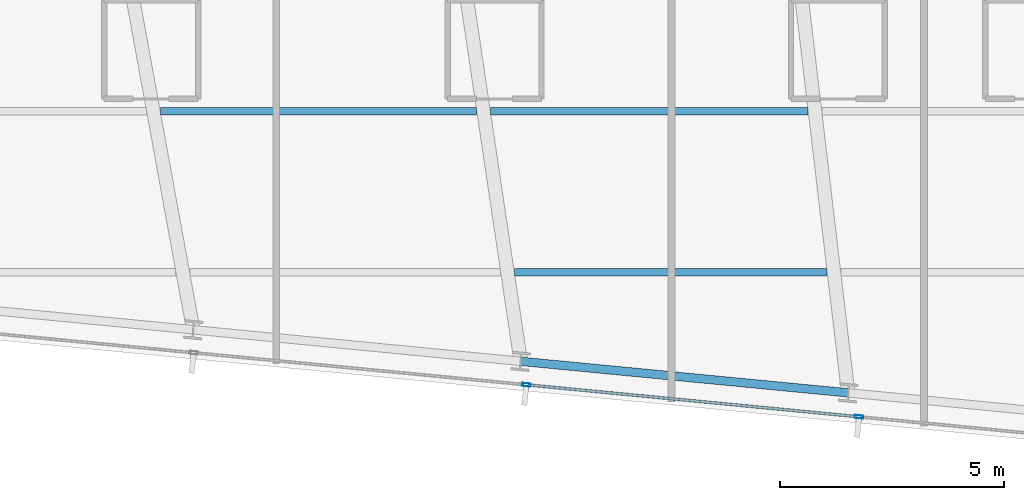
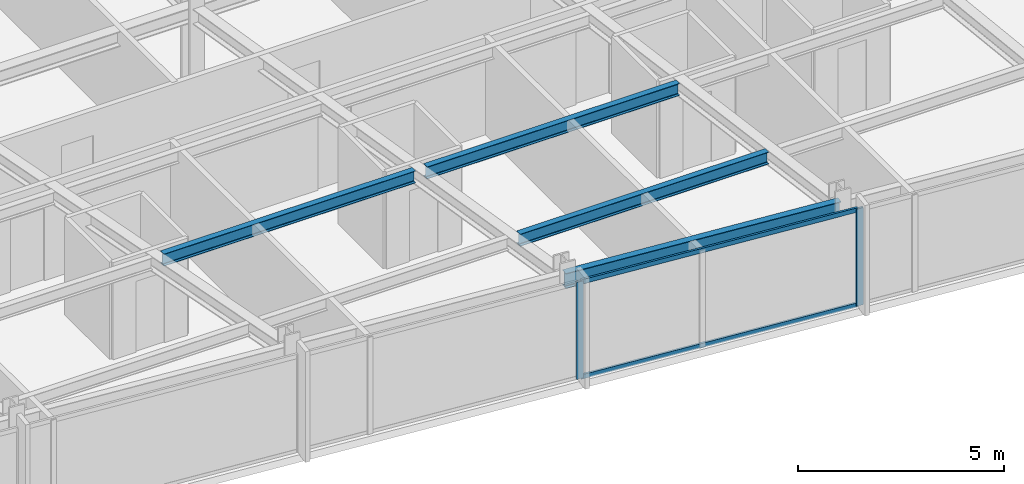
# One storey, part 12 of 37: 4 beams, 4 members, 1 element without a shape of its own.
"""IFC4 building model written with IfcOpenShell, lengths in metres."""

import ifcopenshell
import ifcopenshell.guid

model = None  # the IFC model being written
_history = None  # IfcOwnerHistory: only IFC2X3 demands one
_inside = {}  # id of a spatial element -> (the spatial element, [elements in it])
_under = {}  # id of a project, library or spatial element -> (it, [spatial elements below it])
_declared = {}  # id of a project -> (the project, [libraries it declares])
_typed = {}  # id of a type object -> (the type object, [elements of that type])
_made_of = {}  # id of a material, layer set ... -> (it, [elements and type objects made of it])


def new_model(schema):
    """Start an empty IFC model of exactly this schema.

    Asked for "IFC4X3", IfcOpenShell would pick the latest addendum, in which some entities
    have other attributes; the version numbers below select the first issue.
    IFC2X3 requires an IfcOwnerHistory on every rooted entity: one is made here for all.
    """
    global model, _history
    if schema == "IFC4X3":
        model = ifcopenshell.file(schema_version=(4, 3, 0, 0))
    else:
        model = ifcopenshell.file(schema=schema)
    _inside.clear()
    _under.clear()
    _declared.clear()
    _typed.clear()
    _made_of.clear()
    _history = None
    if model.schema == "IFC2X3":
        org = make("IfcOrganization", Name="unknown")
        user = make(
            "IfcPersonAndOrganization",
            ThePerson=make("IfcPerson", FamilyName="unknown"),
            TheOrganization=org,
        )
        app = make(
            "IfcApplication",
            ApplicationDeveloper=org,
            Version="unknown",
            ApplicationFullName="unknown",
            ApplicationIdentifier="unknown",
        )
        _history = make(
            "IfcOwnerHistory",
            OwningUser=user,
            OwningApplication=app,
            ChangeAction="ADDED",
            CreationDate=0,
        )
    return model


def make(cls, **values):
    """One entity of the class cls with the attributes given. An attribute that is None is left unset."""
    return model.create_entity(
        cls, **{name: value for name, value in values.items() if value is not None}
    )


def rooted(cls, **values):
    """An entity with a GlobalId (a new one), such as an element, a storey or a relation."""
    return make(cls, GlobalId=ifcopenshell.guid.new(), OwnerHistory=_history, **values)


def si_unit(unit_type, name, prefix=None):
    """IfcSIUnit, for example si_unit("LENGTHUNIT", "METRE", prefix="MILLI")."""
    return make("IfcSIUnit", UnitType=unit_type, Prefix=prefix, Name=name)


def assignment(units):
    """IfcUnitAssignment: the units of a project."""
    return None if units is None else make("IfcUnitAssignment", Units=units)


def point(xyz):
    """IfcCartesianPoint."""
    return None if xyz is None else make("IfcCartesianPoint", Coordinates=xyz)


def direction(xyz):
    """IfcDirection."""
    return None if xyz is None else make("IfcDirection", DirectionRatios=xyz)


def frame(location, z_axis=None, x_axis=None):
    """IfcAxis2Placement3D, a coordinate frame: its origin and axes. An axis left out is left unset."""
    return make(
        "IfcAxis2Placement3D",
        Location=point(location),
        Axis=direction(z_axis),
        RefDirection=direction(x_axis),
    )


def frame_2d(location, x_axis=None):
    """IfcAxis2Placement2D, a coordinate frame in the plane: its origin and x axis."""
    return make(
        "IfcAxis2Placement2D", Location=point(location), RefDirection=direction(x_axis)
    )


def origin():
    """The frame at (0, 0, 0) with its axes left unset."""
    return frame((0.0, 0.0, 0.0))


def origin_2d():
    """The frame at (0, 0) in the plane with its x axis left unset."""
    return frame_2d((0.0, 0.0))


def place(relative_to, where):
    """IfcLocalPlacement: puts the frame where relative to a parent placement (None: the world)."""
    return make(
        "IfcLocalPlacement", PlacementRelTo=relative_to, RelativePlacement=where
    )


def context(
    kind, dimensions, precision=None, world=None, true_north=None, identifier=None
):
    """IfcGeometricRepresentationContext, for example the 3D "Model" context."""
    return make(
        "IfcGeometricRepresentationContext",
        ContextIdentifier=identifier,
        ContextType=kind,
        CoordinateSpaceDimension=dimensions,
        Precision=precision,
        WorldCoordinateSystem=world,
        TrueNorth=true_north,
    )


def subcontext(parent, identifier, kind, view, scale=None):
    """IfcGeometricRepresentationSubContext, for example "Body" below "Model"."""
    return make(
        "IfcGeometricRepresentationSubContext",
        ContextIdentifier=identifier,
        ContextType=kind,
        ParentContext=parent,
        TargetScale=scale,
        TargetView=view,
    )


def project(units=None, contexts=None):
    """IfcProject with its units and contexts."""
    return rooted(
        "IfcProject",
        Name="project",
        RepresentationContexts=contexts,
        UnitsInContext=assignment(units),
    )


def spatial(cls, under=None, at=None, **own):
    """A site, building, storey or space (cls), placed at a placement, below another one or the project."""
    s = rooted(cls, ObjectPlacement=at, **own)
    if under is not None:
        _under.setdefault(under.id(), (under, []))[1].append(s)
    return s


def profile(cls, at=None, kind="AREA", **sizes):
    """A parametric profile (cls). Its sizes go by their IFC names, for example OverallWidth=200.0."""
    return make(cls, ProfileType=kind, Position=at, **sizes)


def hollow_rectangle(**sizes):
    """IfcRectangleHollowProfileDef."""
    return profile("IfcRectangleHollowProfileDef", **sizes)


def i_section(**sizes):
    """IfcIShapeProfileDef."""
    return profile("IfcIShapeProfileDef", **sizes)


def extrude(swept, where, along, depth):
    """IfcExtrudedAreaSolid: the profile swept, set in the frame where, extruded along a direction by depth."""
    return make(
        "IfcExtrudedAreaSolid",
        SweptArea=swept,
        Position=where,
        ExtrudedDirection=direction(along),
        Depth=depth,
    )


def shape(context_of_items, identifier, shape_type, items):
    """IfcShapeRepresentation: the items that make up one representation, for example the "Body"."""
    return make(
        "IfcShapeRepresentation",
        ContextOfItems=context_of_items,
        RepresentationIdentifier=identifier,
        RepresentationType=shape_type,
        Items=items,
    )


def material(Name=None, Category=None):
    """IfcMaterial."""
    return make("IfcMaterial", Name=Name, Category=Category)


def material_profile(
    of_material, cross_section, Name=None, Category=None, Priority=None
):
    """IfcMaterialProfile: a cross section and its material."""
    return make(
        "IfcMaterialProfile",
        Name=Name,
        Material=of_material,
        Profile=cross_section,
        Priority=Priority,
        Category=Category,
    )


def profile_set(profiles, Name=None, composite=None):
    """IfcMaterialProfileSet."""
    return make(
        "IfcMaterialProfileSet",
        Name=Name,
        MaterialProfiles=profiles,
        CompositeProfile=composite,
    )


def made_of(thing, what):
    """Note that an element or type object is made of a material, layer set ...; save() writes the relation."""
    if what is not None:
        _made_of.setdefault(what.id(), (what, []))[1].append(thing)
    return thing


def type_object(cls, material=None, **own):
    """A type object (cls), such as IfcWallType, which elements share."""
    return made_of(rooted(cls, **own), material)


def element(
    cls,
    number,
    at=None,
    inside=None,
    cuts=None,
    type_object=None,
    material=None,
    context=None,
    identifier="Body",
    shape_type=None,
    held_by="IfcProductDefinitionShape",
    body=None,
    shapes=None,
    **own,
):
    """One element of the class cls, such as IfcWall. Its Tag is "e" and its number.

    at: its placement. inside: the storey or other place that contains it. cuts: it is an
    opening in that element (IfcRelVoidsElement). A single representation is given by context,
    identifier, shape_type and body (its items); several are given by shapes. held_by: the class
    of the entity that holds the representations. save() writes the other relations.
    """
    e = rooted(cls, Tag="e%d" % number, ObjectPlacement=at, **own)
    if body is not None:
        shapes = [shape(context, identifier, shape_type, body)]
    if shapes is not None:
        e.Representation = make(held_by, Representations=shapes)
    if inside is not None:
        _inside.setdefault(inside.id(), (inside, []))[1].append(e)
    if cuts is not None:
        rooted(
            "IfcRelVoidsElement", RelatingBuildingElement=cuts, RelatedOpeningElement=e
        )
    if type_object is not None:
        _typed.setdefault(type_object.id(), (type_object, []))[1].append(e)
    return made_of(e, material)


def aggregate(whole, parts):
    """IfcRelAggregates: a whole, such as a stair, and the parts it consists of."""
    return rooted("IfcRelAggregates", RelatingObject=whole, RelatedObjects=parts)


def save(model, path):
    """Write the relations noted so far, then the file.

    IfcRelAggregates (storeys below a building ...), IfcRelContainedInSpatialStructure (elements
    in a storey), IfcRelDefinesByType, IfcRelAssociatesMaterial and IfcRelDeclares: one each for
    every whole, place, type object, material and project.
    """
    for whole, parts in _under.values():
        aggregate(whole, parts)
    for where, things in _inside.values():
        rooted(
            "IfcRelContainedInSpatialStructure",
            RelatedElements=things,
            RelatingStructure=where,
        )
    for kind, things in _typed.values():
        rooted("IfcRelDefinesByType", RelatedObjects=things, RelatingType=kind)
    for what, things in _made_of.values():
        rooted("IfcRelAssociatesMaterial", RelatedObjects=things, RelatingMaterial=what)
    for by, libraries in _declared.values():
        rooted("IfcRelDeclares", RelatingContext=by, RelatedDefinitions=libraries)
    model.write(path)


model = new_model("IFC4")

# Units and contexts
model_context = context("Model", 3, precision=1e-05, world=origin(), true_north=direction((0.0, 1.0)))
body_context = subcontext(model_context, "Body", "Model", "MODEL_VIEW")
ifc_project = project(units=[si_unit("LENGTHUNIT", "METRE"), si_unit("AREAUNIT", "SQUARE_METRE"), si_unit("VOLUMEUNIT", "CUBIC_METRE"), si_unit("PLANEANGLEUNIT", "RADIAN"), si_unit("MASSUNIT", "GRAM", prefix="KILO")], contexts=[model_context])

# Site, building, storey
site_placement = place(None, origin())
site = spatial("IfcSite", under=ifc_project, at=site_placement, CompositionType="ELEMENT")
building_placement = place(site_placement, origin())
building = spatial("IfcBuilding", under=site, at=building_placement, Name="Yelkora Congress Tower", CompositionType="ELEMENT")
storey_placement = place(building_placement, frame((0.0, 0.0, 188.60009765625)))
storey = spatial("IfcBuildingStorey", under=building, at=storey_placement, Name="L52", CompositionType="ELEMENT", Elevation=188.60009765625)

# Beams
ifc_material_1 = material(Name="Steel S355J2", Category="steel")
ifc_material_profile_1 = material_profile(ifc_material_1, i_section(OverallWidth=0.169921875, OverallDepth=0.360107421875, WebThickness=0.008056640625, FlangeThickness=0.0126953125, FilletRadius=0.01806640625, at=origin_2d()), Name="IPE 360")
ifc_profile_set_1 = profile_set([ifc_material_profile_1], Name="Steel S355J2")
beam_type_1 = type_object("IfcBeamType", Name="BM-JOIST-IPE360", PredefinedType="JOIST", material=ifc_profile_set_1)
beam_1_placement = place(storey_placement, frame((40.39990234375, 12.8212890625, 2.699951171875), z_axis=(1.0, 0.0, 0.0), x_axis=(0.0, 1.0, 0.0)))
element("IfcBeam", 1, at=beam_1_placement, inside=storey, type_object=beam_type_1, Name="L52 Composite Floor Joist 3", PredefinedType="JOIST", context=body_context, shape_type="SweptSolid", body=[
    extrude(i_section(OverallWidth=0.169921875, OverallDepth=0.360107421875, WebThickness=0.008056640625, FlangeThickness=0.0126953125, FilletRadius=0.01806640625, at=origin_2d()), origin(), (0.0, 0.0, 1.0), 6.98095703125),
])
beam_2_placement = place(storey_placement, frame((32.481201171875, 16.421142578125, 2.699951171875), z_axis=(1.0, 0.0, 0.0), x_axis=(0.0, 1.0, 0.0)))
element("IfcBeam", 2, at=beam_2_placement, inside=storey, type_object=beam_type_1, Name="L52 Composite Floor Joist 9", PredefinedType="JOIST", context=body_context, shape_type="SweptSolid", body=[
    extrude(i_section(OverallWidth=0.169921875, OverallDepth=0.360107421875, WebThickness=0.008056640625, FlangeThickness=0.0126953125, FilletRadius=0.01806640625, at=origin_2d()), origin(), (0.0, 0.0, 1.0), 7.063720703125),
])
beam_3_placement = place(storey_placement, frame((39.86474609375, 16.421142578125, 2.699951171875), z_axis=(1.0, 0.0, 0.0), x_axis=(0.0, 1.0, 0.0)))
element("IfcBeam", 3, at=beam_3_placement, inside=storey, type_object=beam_type_1, Name="L52 Composite Floor Joist 10", PredefinedType="JOIST", context=body_context, shape_type="SweptSolid", body=[
    extrude(i_section(OverallWidth=0.169921875, OverallDepth=0.360107421875, WebThickness=0.008056640625, FlangeThickness=0.0126953125, FilletRadius=0.01806640625, at=origin_2d()), origin(), (0.0, 0.0, 1.0), 7.09130859375),
])
ifc_material_profile_2 = material_profile(ifc_material_1, i_section(OverallWidth=0.18994140625, OverallDepth=0.449951171875, WebThickness=0.009521484375, FlangeThickness=0.0146484375, FilletRadius=0.02099609375, at=origin_2d()), Name="IPE 450")
ifc_profile_set_2 = profile_set([ifc_material_profile_2], Name="Steel S355J2")
beam_type_2 = type_object("IfcBeamType", Name="BM-SPAN-IPE450", PredefinedType="SPANDREL", material=ifc_profile_set_2)
beam_4_placement = place(storey_placement, frame((40.53564453125, 10.83154296875, 2.65478515625), z_axis=(0.995397104697, -0.095836339457, 0.0), x_axis=(0.095836339457, 0.995397104697, 0.0)))
element("IfcBeam", 4, at=beam_4_placement, inside=storey, type_object=beam_type_2, Name="L52 Perimeter Beam 7", PredefinedType="SPANDREL", context=body_context, shape_type="SweptSolid", body=[
    extrude(i_section(OverallWidth=0.18994140625, OverallDepth=0.449951171875, WebThickness=0.009521484375, FlangeThickness=0.0146484375, FilletRadius=0.02099609375, at=origin_2d()), origin(), (0.0, 0.0, 1.0), 7.357177734375),
])

# Curtain wall, members
ifc_material_2 = material(Name="Anodised aluminium and insulated glass", Category="aluminium")
curtain_wall_type = type_object("IfcCurtainWallType", Name="CW-SYS-B3", PredefinedType="NOTDEFINED", material=ifc_material_2)
curtain_wall_placement = place(storey_placement, origin())
curtain_wall = element("IfcCurtainWall", 5, at=curtain_wall_placement, inside=storey, type_object=curtain_wall_type, Name="L52 Unitised Curtain Wall 20", PredefinedType="NOTDEFINED")
ifc_material_3 = material(Name="Anodised aluminium 6063-T6", Category="aluminium")
ifc_material_profile_3 = material_profile(ifc_material_3, hollow_rectangle(XDim=0.070068359375, YDim=0.18994140625, WallThickness=0.00390625, at=origin_2d()), Name="ALU 70x190x4")
ifc_profile_set_3 = profile_set([ifc_material_profile_3], Name="Anodised aluminium 6063-T6")
member_type_1 = type_object("IfcMemberType", Name="MEM-ML-B3", PredefinedType="MULLION", material=ifc_profile_set_3)
member_1_placement = place(storey_placement, frame((48.1015625, 9.590576171875, 0.0), z_axis=(0.0, 0.0, 1.0), x_axis=(-0.095844680679, -0.995396301573, 0.0)))
member_1 = element("IfcMember", 6, at=member_1_placement, type_object=member_type_1, Name="CW-B3 mullion 2", PredefinedType="MULLION", context=body_context, shape_type="SweptSolid", body=[
    extrude(hollow_rectangle(XDim=0.070068359375, YDim=0.18994140625, WallThickness=0.00390625, at=origin_2d()), origin(), (0.0, 0.0, 1.0), 2.8798828125),
])
member_2_placement = place(storey_placement, frame((40.66162109375, 10.30712890625, 0.0), z_axis=(0.0, 0.0, 1.0), x_axis=(-0.095844680679, -0.995396301573, 0.0)))
member_2 = element("IfcMember", 7, at=member_2_placement, type_object=member_type_1, Name="CW-B3 mullion 3", PredefinedType="MULLION", context=body_context, shape_type="SweptSolid", body=[
    extrude(hollow_rectangle(XDim=0.070068359375, YDim=0.18994140625, WallThickness=0.00390625, at=origin_2d()), origin(), (0.0, 0.0, 1.0), 2.8798828125),
])
ifc_material_profile_4 = material_profile(ifc_material_3, hollow_rectangle(XDim=0.06005859375, YDim=0.1298828125, WallThickness=0.00390625, at=origin_2d()), Name="ALU 60x130x4")
ifc_profile_set_4 = profile_set([ifc_material_profile_4], Name="Anodised aluminium 6063-T6")
member_type_2 = type_object("IfcMemberType", Name="MEM-TR-B3", PredefinedType="USERDEFINED", material=ifc_profile_set_4)
member_3_placement = place(storey_placement, frame((48.066650390625, 9.593994140625, 0.02978515625), z_axis=(-0.99539548672, 0.095853142967, 0.0), x_axis=(-0.095853142967, -0.99539548672, 0.0)))
member_3 = element("IfcMember", 8, at=member_3_placement, type_object=member_type_2, Name="CW-B3 transom 2.1", ObjectType="TRANSOM", PredefinedType="USERDEFINED", context=body_context, shape_type="SweptSolid", body=[
    extrude(hollow_rectangle(XDim=0.06005859375, YDim=0.1298828125, WallThickness=0.00390625, at=origin_2d()), origin(), (0.0, 0.0, 1.0), 7.404296875),
])
member_4_placement = place(storey_placement, frame((48.066650390625, 9.593994140625, 2.849853515625), z_axis=(-0.99539548672, 0.095853142967, 0.0), x_axis=(-0.095853142967, -0.99539548672, 0.0)))
member_4 = element("IfcMember", 9, at=member_4_placement, type_object=member_type_2, Name="CW-B3 transom 2.2", ObjectType="TRANSOM", PredefinedType="USERDEFINED", context=body_context, shape_type="SweptSolid", body=[
    extrude(hollow_rectangle(XDim=0.06005859375, YDim=0.1298828125, WallThickness=0.00390625, at=origin_2d()), origin(), (0.0, 0.0, 1.0), 7.404296875),
])
aggregate(curtain_wall, [member_1, member_2, member_3, member_4])

save(model, "model.ifc")
